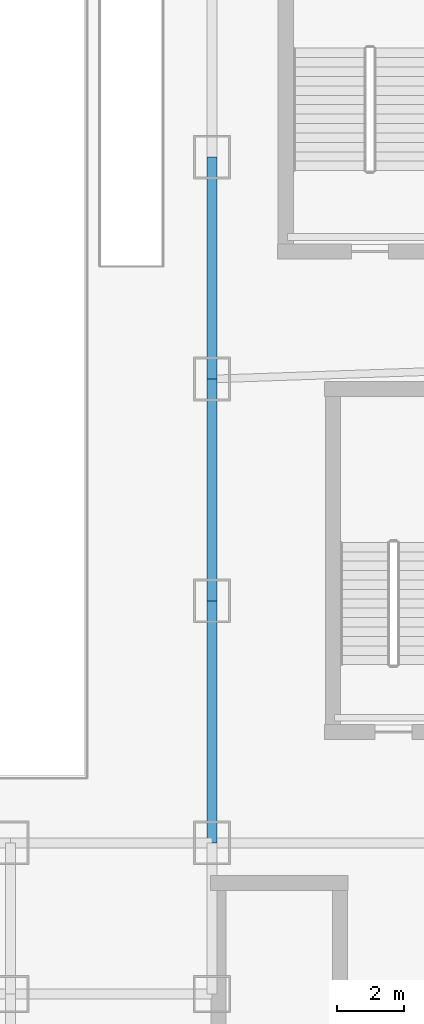
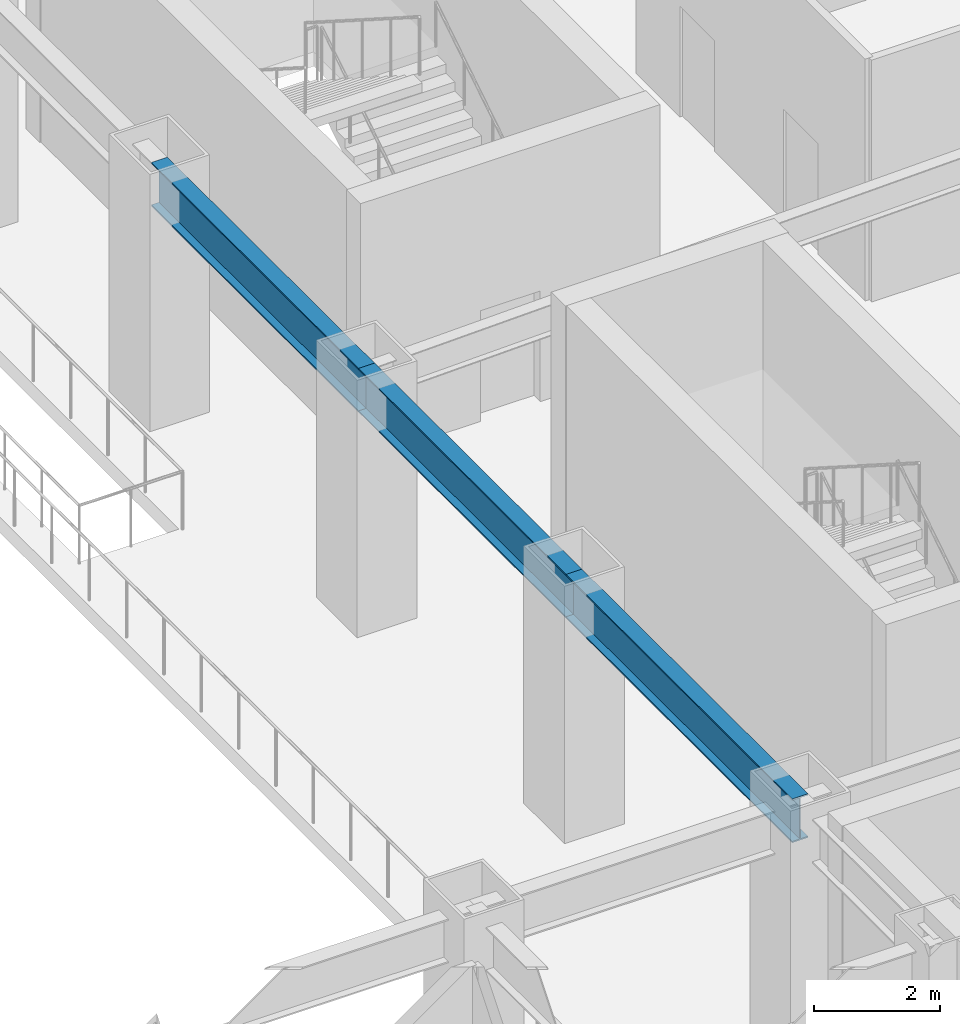
# One storey, part 11 of 39: 3 beams.
"""IFC4 building model written with IfcOpenShell, lengths in metres."""

from ifc_helpers import new_model, si_unit, derived_unit, direction, frame, origin, origin_2d, place, context, subcontext, project, spatial, i_section, extrude, source, transform, mapped, material, material_profile, profile_set, type_object, element, save


model = new_model("IFC4")

# Units and contexts
model_context = context("Model", 3, precision=1e-05, world=origin(), true_north=direction((0.0, 1.0)))
body_context = subcontext(model_context, "Body", "Model", "MODEL_VIEW")
ifc_project = project(units=[si_unit("LENGTHUNIT", "METRE"), si_unit("AREAUNIT", "SQUARE_METRE"), si_unit("VOLUMEUNIT", "CUBIC_METRE"), si_unit("PLANEANGLEUNIT", "RADIAN"), si_unit("MASSUNIT", "GRAM", prefix="KILO"), derived_unit("THERMALTRANSMITTANCEUNIT", [(si_unit("POWERUNIT", "WATT"), 1), (si_unit("LENGTHUNIT", "METRE"), -2), (si_unit("THERMODYNAMICTEMPERATUREUNIT", "KELVIN"), -1)])], contexts=[model_context])

# Site, building, storey
site_placement = place(None, origin())
site = spatial("IfcSite", under=ifc_project, at=site_placement, CompositionType="ELEMENT")
building_placement = place(site_placement, origin())
building = spatial("IfcBuilding", under=site, at=building_placement, Name="Skarnbrae Concourse Arena and Tower", CompositionType="ELEMENT")
storey_placement = place(building_placement, frame((0.0, 0.0, 11.0)))
storey = spatial("IfcBuildingStorey", under=building, at=storey_placement, Name="L02", CompositionType="ELEMENT", Elevation=11.0)

# Beams
ifc_material = material(Name="Steel CSA G40.21 350W", Category="steel")
ifc_material_profile = material_profile(ifc_material, i_section(OverallWidth=0.2939453125, OverallDepth=0.85107421875, WebThickness=0.01611328125, FlangeThickness=0.02685546875, at=origin_2d()), Name="W840X226")
ifc_profile_set = profile_set([ifc_material_profile], Name="Steel CSA G40.21 350W")
beam_type = type_object("IfcBeamType", Name="BM-GIRD-W840X226", PredefinedType="BEAM", material=ifc_profile_set)
shared_shape_1 = source(origin(), body_context, "Body", "SweptSolid", [
    extrude(i_section(OverallWidth=0.2939453125, OverallDepth=0.85107421875, WebThickness=0.01611328125, FlangeThickness=0.02685546875, at=origin_2d()), origin(), (0.0, 0.0, 1.0), 6.60009765625),
])
beam_1_placement = place(storey_placement, frame((61.0, 21.199951171875, 4.2744140625), z_axis=(0.0, 1.0, 0.0), x_axis=(-1.0, 0.0, 0.0)))
element("IfcBeam", 1, at=beam_1_placement, inside=storey, type_object=beam_type, Name="L02 Podium east girder 3", PredefinedType="BEAM", context=body_context, shape_type="MappedRepresentation", body=[
    mapped(shared_shape_1, transform((0.0, 0.0, 0.0))),
])
shared_shape_2 = source(origin(), body_context, "Body", "SweptSolid", [
    extrude(i_section(OverallWidth=0.2939453125, OverallDepth=0.85107421875, WebThickness=0.01611328125, FlangeThickness=0.02685546875, at=origin_2d()), origin(), (0.0, 0.0, 1.0), 7.199951171875),
])
beam_2_placement = place(storey_placement, frame((61.0, 14.0, 4.2744140625), z_axis=(0.0, 1.0, 0.0), x_axis=(-1.0, 0.0, 0.0)))
element("IfcBeam", 2, at=beam_2_placement, inside=storey, type_object=beam_type, Name="L02 Podium east girder 2", PredefinedType="BEAM", context=body_context, shape_type="MappedRepresentation", body=[
    mapped(shared_shape_2, transform((0.0, 0.0, 0.0))),
])
shared_shape_3 = source(origin(), body_context, "Body", "SweptSolid", [
    extrude(i_section(OverallWidth=0.2939453125, OverallDepth=0.85107421875, WebThickness=0.01611328125, FlangeThickness=0.02685546875, at=origin_2d()), origin(), (0.0, 0.0, 1.0), 6.599853515625),
])
beam_3_placement = place(storey_placement, frame((61.0, 27.800048828125, 4.2744140625), z_axis=(0.0, 1.0, 0.0), x_axis=(-1.0, 0.0, 0.0)))
element("IfcBeam", 3, at=beam_3_placement, inside=storey, type_object=beam_type, Name="L02 Podium east girder 4", PredefinedType="BEAM", context=body_context, shape_type="MappedRepresentation", body=[
    mapped(shared_shape_3, transform((0.0, 0.0, 0.0))),
])

save(model, "model.ifc")
